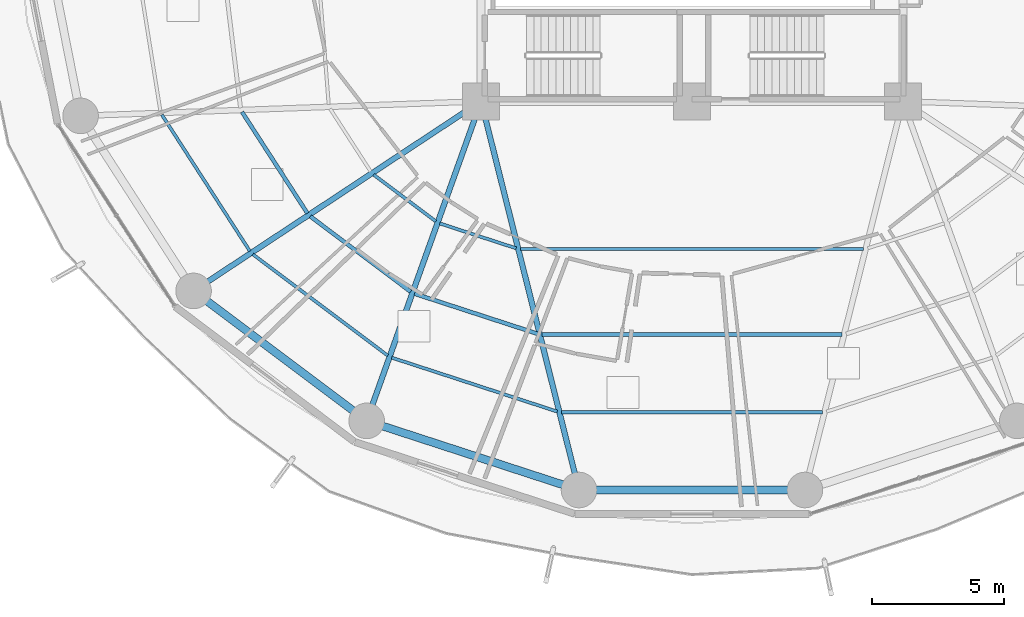
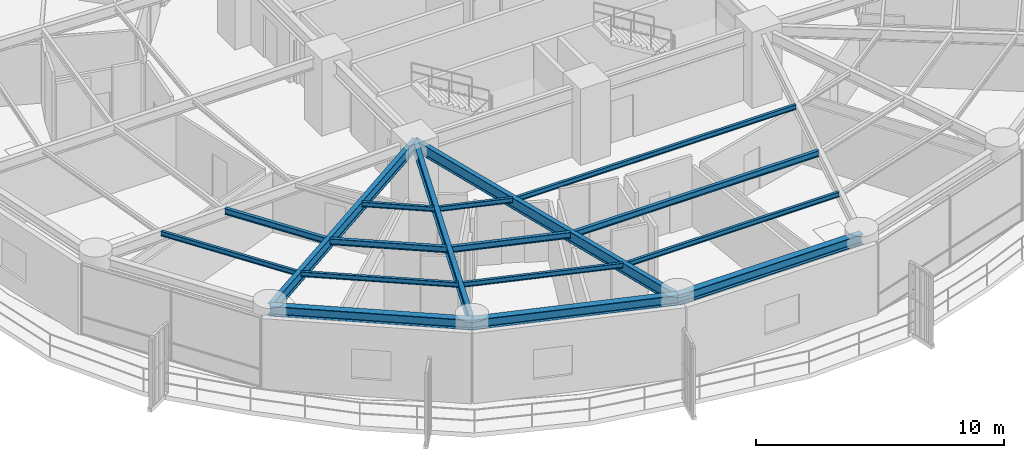
# One storey, part 3 of 33: 17 beams.
"""IFC4 building model written with IfcOpenShell, lengths in metres."""

from ifc_helpers import new_model, si_unit, direction, frame, origin, origin_2d, place, context, subcontext, project, spatial, i_section, extrude, material, material_profile, profile_set, type_object, element, save


model = new_model("IFC4")

# Units and contexts
model_context = context("Model", 3, precision=1e-05, world=origin(), true_north=direction((0.0, 1.0)))
body_context = subcontext(model_context, "Body", "Model", "MODEL_VIEW")
ifc_project = project(units=[si_unit("LENGTHUNIT", "METRE"), si_unit("AREAUNIT", "SQUARE_METRE"), si_unit("VOLUMEUNIT", "CUBIC_METRE"), si_unit("PLANEANGLEUNIT", "RADIAN"), si_unit("MASSUNIT", "GRAM", prefix="KILO")], contexts=[model_context])

# Site, building, storey
site_placement = place(None, origin())
site = spatial("IfcSite", under=ifc_project, at=site_placement, CompositionType="ELEMENT")
building_placement = place(site_placement, origin())
building = spatial("IfcBuilding", under=site, at=building_placement, Name="Kelanora Arch Commons", CompositionType="ELEMENT")
storey_placement = place(building_placement, frame((0.0, 0.0, 83.85009765625)))
storey = spatial("IfcBuildingStorey", under=building, at=storey_placement, Name="L21", CompositionType="ELEMENT", Elevation=83.85009765625)

# Beams
ifc_material = material(Name="Steel S355", Category="steel")
ifc_material_profile_1 = material_profile(ifc_material, i_section(OverallWidth=0.14990234375, OverallDepth=0.300048828125, WebThickness=0.007080078125, FlangeThickness=0.0107421875, FilletRadius=0.014892578125, at=origin_2d()), Name="IPE300")
ifc_profile_set_1 = profile_set([ifc_material_profile_1], Name="Steel S355")
beam_type_1 = type_object("IfcBeamType", Name="BM-JST-01", PredefinedType="JOIST", material=ifc_profile_set_1)
beam_1_placement = place(storey_placement, frame((56.93115234375, 50.597412109375, 3.33984375), z_axis=(0.542230243286, -0.840229946661, 0.0), x_axis=(0.840229946661, 0.542230243286, 0.0)))
element("IfcBeam", 1, at=beam_1_placement, inside=storey, type_object=beam_type_1, Name="Secondary Chord Joist BJB-20 L21", PredefinedType="JOIST", context=body_context, shape_type="SweptSolid", body=[
    extrude(i_section(OverallWidth=0.14990234375, OverallDepth=0.300048828125, WebThickness=0.007080078125, FlangeThickness=0.0107421875, FilletRadius=0.014892578125, at=origin_2d()), origin(), (0.0, 0.0, 1.0), 4.572265625),
])
beam_2_placement = place(storey_placement, frame((59.5244140625, 46.63330078125, 3.33984375), z_axis=(0.79971039107, -0.600385951214, 0.0), x_axis=(0.600385951214, 0.79971039107, 0.0)))
element("IfcBeam", 2, at=beam_2_placement, inside=storey, type_object=beam_type_1, Name="Secondary Chord Joist BJB-22 L21", PredefinedType="JOIST", context=body_context, shape_type="SweptSolid", body=[
    extrude(i_section(OverallWidth=0.14990234375, OverallDepth=0.300048828125, WebThickness=0.007080078125, FlangeThickness=0.0107421875, FilletRadius=0.014892578125, at=origin_2d()), origin(), (0.0, 0.0, 1.0), 4.756103515625),
])
beam_3_placement = place(storey_placement, frame((63.476806640625, 43.70068359375, 3.33984375), z_axis=(0.950857140254, -0.309629938521, 0.0), x_axis=(0.309629938521, 0.950857140254, 0.0)))
element("IfcBeam", 3, at=beam_3_placement, inside=storey, type_object=beam_type_1, Name="Secondary Chord Joist BJB-24 L21", PredefinedType="JOIST", context=body_context, shape_type="SweptSolid", body=[
    extrude(i_section(OverallWidth=0.14990234375, OverallDepth=0.300048828125, WebThickness=0.007080078125, FlangeThickness=0.0107421875, FilletRadius=0.014892578125, at=origin_2d()), origin(), (0.0, 0.0, 1.0), 4.912353515625),
])
beam_4_placement = place(storey_placement, frame((68.313720703125, 42.1533203125, 3.33984375), z_axis=(1.0, 0.0, 0.0), x_axis=(0.0, 1.0, 0.0)))
element("IfcBeam", 4, at=beam_4_placement, inside=storey, type_object=beam_type_1, Name="Secondary Chord Joist BJB-26 L21", PredefinedType="JOIST", context=body_context, shape_type="SweptSolid", body=[
    extrude(i_section(OverallWidth=0.14990234375, OverallDepth=0.300048828125, WebThickness=0.007080078125, FlangeThickness=0.0107421875, FilletRadius=0.014892578125, at=origin_2d()), origin(), (0.0, 0.0, 1.0), 11.37255859375),
])
ifc_material_profile_2 = material_profile(ifc_material, i_section(OverallWidth=0.1201171875, OverallDepth=0.239990234375, WebThickness=0.006103515625, FlangeThickness=0.009765625, FilletRadius=0.014892578125, at=origin_2d()), Name="IPE240")
ifc_profile_set_2 = profile_set([ifc_material_profile_2], Name="Steel S355")
beam_type_2 = type_object("IfcBeamType", Name="BM-JST-02", PredefinedType="JOIST", material=ifc_profile_set_2)
beam_5_placement = place(storey_placement, frame((53.892822265625, 50.487060546875, 3.369873046875), z_axis=(0.542212726273, -0.840241250754, 0.0), x_axis=(0.840241250754, 0.542212726273, 0.0)))
element("IfcBeam", 5, at=beam_5_placement, inside=storey, type_object=beam_type_2, Name="Secondary Chord Joist BJC-20 L21", PredefinedType="JOIST", context=body_context, shape_type="SweptSolid", body=[
    extrude(i_section(OverallWidth=0.1201171875, OverallDepth=0.239990234375, WebThickness=0.006103515625, FlangeThickness=0.009765625, FilletRadius=0.014892578125, at=origin_2d()), origin(), (0.0, 0.0, 1.0), 6.15283203125),
])
beam_6_placement = place(storey_placement, frame((61.923583984375, 48.2158203125, 3.369873046875), z_axis=(0.799692034361, -0.600410401458, 0.0), x_axis=(0.600410401458, 0.799692034361, 0.0)))
element("IfcBeam", 6, at=beam_6_placement, inside=storey, type_object=beam_type_2, Name="Secondary Chord Joist BJA-22 L21", PredefinedType="JOIST", context=body_context, shape_type="SweptSolid", body=[
    extrude(i_section(OverallWidth=0.1201171875, OverallDepth=0.239990234375, WebThickness=0.006103515625, FlangeThickness=0.009765625, FilletRadius=0.014892578125, at=origin_2d()), origin(), (0.0, 0.0, 1.0), 2.949951171875),
])
beam_7_placement = place(storey_placement, frame((57.34326171875, 45.194580078125, 3.369873046875), z_axis=(0.799734335646, -0.600354055861, 0.0), x_axis=(0.600354055861, 0.799734335646, 0.0)))
element("IfcBeam", 7, at=beam_7_placement, inside=storey, type_object=beam_type_2, Name="Secondary Chord Joist BJC-22 L21", PredefinedType="JOIST", context=body_context, shape_type="SweptSolid", body=[
    extrude(i_section(OverallWidth=0.1201171875, OverallDepth=0.239990234375, WebThickness=0.006103515625, FlangeThickness=0.009765625, FilletRadius=0.014892578125, at=origin_2d()), origin(), (0.0, 0.0, 1.0), 6.39794921875),
])
beam_8_placement = place(storey_placement, frame((64.431640625, 46.367431640625, 3.369873046875), z_axis=(0.950846758946, -0.309661817151, 0.0), x_axis=(0.309661817151, 0.950846758946, 0.0)))
element("IfcBeam", 8, at=beam_8_placement, inside=storey, type_object=beam_type_2, Name="Secondary Chord Joist BJA-24 L21", PredefinedType="JOIST", context=body_context, shape_type="SweptSolid", body=[
    extrude(i_section(OverallWidth=0.1201171875, OverallDepth=0.239990234375, WebThickness=0.006103515625, FlangeThickness=0.009765625, FilletRadius=0.014892578125, at=origin_2d()), origin(), (0.0, 0.0, 1.0), 3.048828125),
])
beam_9_placement = place(storey_placement, frame((62.60888671875, 41.276123046875, 3.369873046875), z_axis=(0.950862829272, -0.309612467301, 0.0), x_axis=(0.309612467301, 0.950862829272, 0.0)))
element("IfcBeam", 9, at=beam_9_placement, inside=storey, type_object=beam_type_2, Name="Secondary Chord Joist BJC-24 L21", PredefinedType="JOIST", context=body_context, shape_type="SweptSolid", body=[
    extrude(i_section(OverallWidth=0.1201171875, OverallDepth=0.239990234375, WebThickness=0.006103515625, FlangeThickness=0.009765625, FilletRadius=0.014892578125, at=origin_2d()), origin(), (0.0, 0.0, 1.0), 6.6064453125),
])
beam_10_placement = place(storey_placement, frame((67.49658203125, 45.397216796875, 3.369873046875), z_axis=(1.0, 0.0, 0.0), x_axis=(0.0, 1.0, 0.0)))
element("IfcBeam", 10, at=beam_10_placement, inside=storey, type_object=beam_type_2, Name="Secondary Chord Joist BJA-26 L21", PredefinedType="JOIST", context=body_context, shape_type="SweptSolid", body=[
    extrude(i_section(OverallWidth=0.1201171875, OverallDepth=0.239990234375, WebThickness=0.006103515625, FlangeThickness=0.009765625, FilletRadius=0.014892578125, at=origin_2d()), origin(), (0.0, 0.0, 1.0), 13.0068359375),
])
beam_11_placement = place(storey_placement, frame((69.056396484375, 39.204345703125, 3.369873046875), z_axis=(1.0, 0.0, 0.0), x_axis=(0.0, 1.0, 0.0)))
element("IfcBeam", 11, at=beam_11_placement, inside=storey, type_object=beam_type_2, Name="Secondary Chord Joist BJC-26 L21", PredefinedType="JOIST", context=body_context, shape_type="SweptSolid", body=[
    extrude(i_section(OverallWidth=0.1201171875, OverallDepth=0.239990234375, WebThickness=0.006103515625, FlangeThickness=0.009765625, FilletRadius=0.014892578125, at=origin_2d()), origin(), (0.0, 0.0, 1.0), 9.88720703125),
])
ifc_material_profile_3 = material_profile(ifc_material, i_section(OverallWidth=0.2099609375, OverallDepth=0.550048828125, WebThickness=0.010986328125, FlangeThickness=0.01708984375, FilletRadius=0.02392578125, at=origin_2d()), Name="IPE550")
ifc_profile_set_3 = profile_set([ifc_material_profile_3], Name="Steel S355")
beam_type_3 = type_object("IfcBeamType", Name="BM-RAD-Z2", PredefinedType="BEAM", material=ifc_profile_set_3)
beam_12_placement = place(storey_placement, frame((66.0, 51.0, 3.21484375), z_axis=(-0.834788577908, -0.550570640512, 0.0), x_axis=(0.550570640512, -0.834788577908, 0.0)))
element("IfcBeam", 12, at=beam_12_placement, inside=storey, type_object=beam_type_3, Name="Radial Floor Girder BR-22 L21", PredefinedType="BEAM", context=body_context, shape_type="SweptSolid", body=[
    extrude(i_section(OverallWidth=0.2099609375, OverallDepth=0.550048828125, WebThickness=0.010986328125, FlangeThickness=0.01708984375, FilletRadius=0.02392578125, at=origin_2d()), origin(), (0.0, 0.0, 1.0), 13.064453125),
])
beam_13_placement = place(storey_placement, frame((66.0, 51.0, 3.21484375), z_axis=(-0.337084640008, -0.941474346687, 0.0), x_axis=(0.941474346687, -0.337084640008, 0.0)))
element("IfcBeam", 13, at=beam_13_placement, inside=storey, type_object=beam_type_3, Name="Radial Floor Girder BR-24 L21", PredefinedType="BEAM", context=body_context, shape_type="SweptSolid", body=[
    extrude(i_section(OverallWidth=0.2099609375, OverallDepth=0.550048828125, WebThickness=0.010986328125, FlangeThickness=0.01708984375, FilletRadius=0.02392578125, at=origin_2d()), origin(), (0.0, 0.0, 1.0), 12.875244140625),
])
beam_14_placement = place(storey_placement, frame((66.0, 51.0, 3.21484375), z_axis=(0.244280647475, -0.969704576286, 0.0), x_axis=(0.969704576286, 0.244280647475, 0.0)))
element("IfcBeam", 14, at=beam_14_placement, inside=storey, type_object=beam_type_3, Name="Radial Floor Girder BR-26 L21", PredefinedType="BEAM", context=body_context, shape_type="SweptSolid", body=[
    extrude(i_section(OverallWidth=0.2099609375, OverallDepth=0.550048828125, WebThickness=0.010986328125, FlangeThickness=0.01708984375, FilletRadius=0.02392578125, at=origin_2d()), origin(), (0.0, 0.0, 1.0), 15.205322265625),
])
ifc_material_profile_4 = material_profile(ifc_material, i_section(OverallWidth=0.300048828125, OverallDepth=0.5, WebThickness=0.014404296875, FlangeThickness=0.028076171875, FilletRadius=0.027099609375, at=origin_2d()), Name="HEB500")
ifc_profile_set_4 = profile_set([ifc_material_profile_4], Name="Steel S355")
beam_type_4 = type_object("IfcBeamType", Name="BM-SPN-Z2", PredefinedType="SPANDREL", material=ifc_profile_set_4)
beam_15_placement = place(storey_placement, frame((55.093994140625, 43.80712890625, 3.239990234375), z_axis=(0.799735861602, -0.600352023123, 0.0), x_axis=(0.600352023123, 0.799735861602, 0.0)))
element("IfcBeam", 15, at=beam_15_placement, inside=storey, type_object=beam_type_4, Name="Perimeter Spandrel Beam BS-22 L21", PredefinedType="SPANDREL", context=body_context, shape_type="SweptSolid", body=[
    extrude(i_section(OverallWidth=0.300048828125, OverallDepth=0.5, WebThickness=0.014404296875, FlangeThickness=0.028076171875, FilletRadius=0.027099609375, at=origin_2d()), origin(), (0.0, 0.0, 1.0), 8.210205078125),
])
beam_16_placement = place(storey_placement, frame((61.659912109375, 38.878173828125, 3.239990234375), z_axis=(0.950856631974, -0.309631499418, 0.0), x_axis=(0.309631499418, 0.950856631974, 0.0)))
element("IfcBeam", 16, at=beam_16_placement, inside=storey, type_object=beam_type_4, Name="Perimeter Spandrel Beam BS-24 L21", PredefinedType="SPANDREL", context=body_context, shape_type="SweptSolid", body=[
    extrude(i_section(OverallWidth=0.300048828125, OverallDepth=0.5, WebThickness=0.014404296875, FlangeThickness=0.028076171875, FilletRadius=0.027099609375, at=origin_2d()), origin(), (0.0, 0.0, 1.0), 8.470703125),
])
beam_17_placement = place(storey_placement, frame((69.71435546875, 36.25537109375, 3.239990234375), z_axis=(1.0, 0.0, 0.0), x_axis=(0.0, 1.0, 0.0)))
element("IfcBeam", 17, at=beam_17_placement, inside=storey, type_object=beam_type_4, Name="Perimeter Spandrel Beam BS-26 L21", PredefinedType="SPANDREL", context=body_context, shape_type="SweptSolid", body=[
    extrude(i_section(OverallWidth=0.300048828125, OverallDepth=0.5, WebThickness=0.014404296875, FlangeThickness=0.028076171875, FilletRadius=0.027099609375, at=origin_2d()), origin(), (0.0, 0.0, 1.0), 8.5712890625),
])

save(model, "model.ifc")
